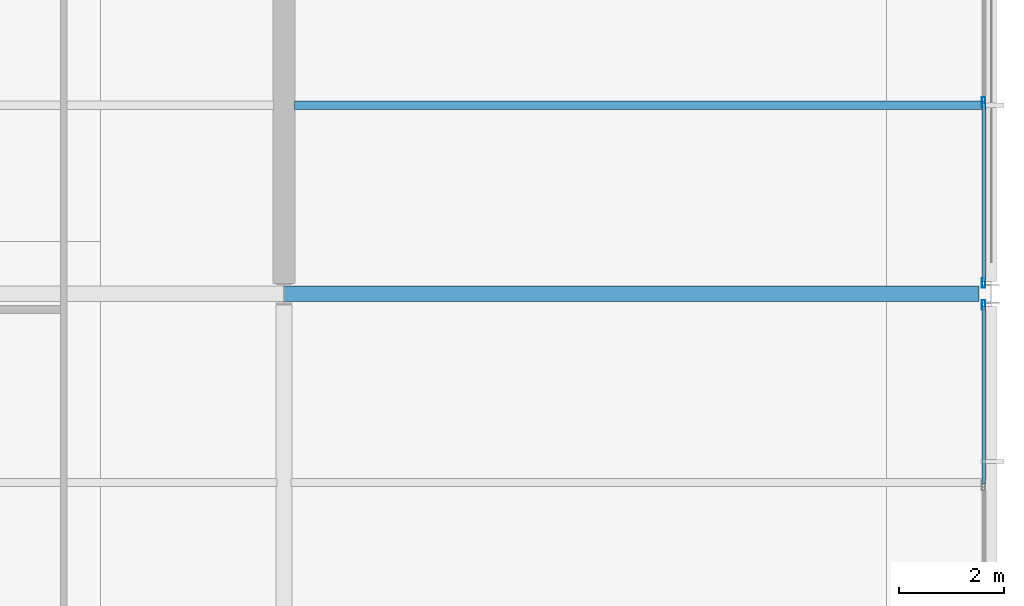
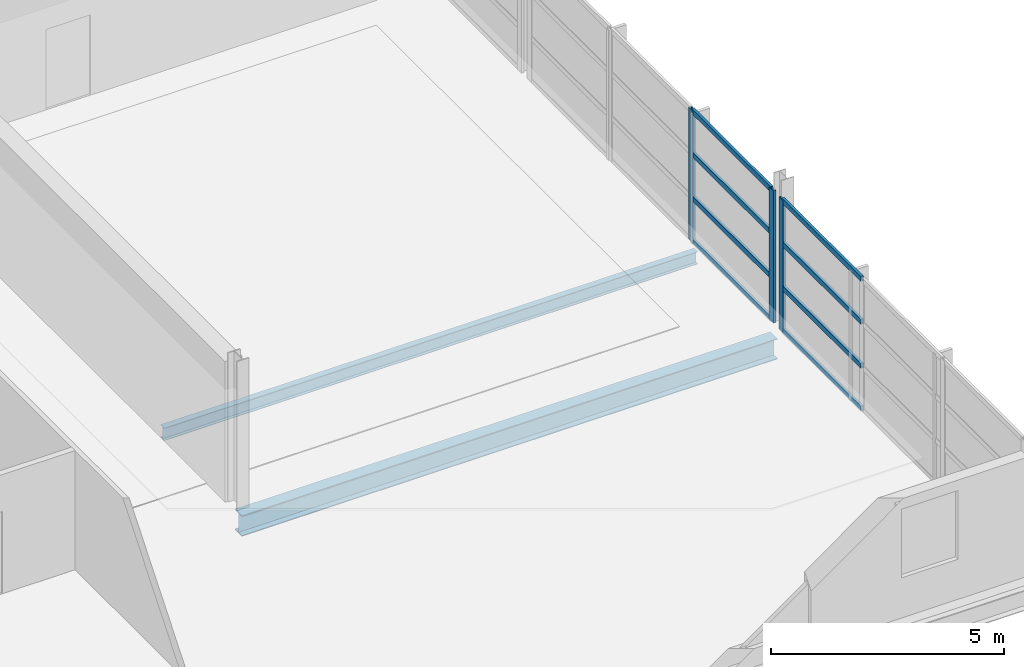
# One storey, part 11 of 33: 11 members, 2 beams, 2 elements without a shape of their own.
"""IFC4 building model written with IfcOpenShell, lengths in metres."""

from ifc_helpers import new_model, si_unit, direction, frame, origin, origin_2d, place, context, subcontext, project, spatial, hollow_rectangle, i_section, extrude, material, layer, layer_set, material_profile, profile_set, type_object, element, aggregate, save


model = new_model("IFC4")

# Units and contexts
model_context = context("Model", 3, precision=1e-05, world=origin(), true_north=direction((0.0, 1.0)))
body_context = subcontext(model_context, "Body", "Model", "MODEL_VIEW")
ifc_project = project(units=[si_unit("LENGTHUNIT", "METRE"), si_unit("AREAUNIT", "SQUARE_METRE"), si_unit("VOLUMEUNIT", "CUBIC_METRE"), si_unit("PLANEANGLEUNIT", "RADIAN"), si_unit("MASSUNIT", "GRAM", prefix="KILO")], contexts=[model_context])

# Site, building, storey
site_placement = place(None, origin())
site = spatial("IfcSite", under=ifc_project, at=site_placement, CompositionType="ELEMENT")
building_placement = place(site_placement, origin())
building = spatial("IfcBuilding", under=site, at=building_placement, Name="Tamarisk Ironworks Central Station", CompositionType="ELEMENT")
storey_placement = place(building_placement, frame((0.0, 0.0, 21.300048828125)))
storey = spatial("IfcBuildingStorey", under=building, at=storey_placement, Name="L04", CompositionType="ELEMENT", Elevation=21.300048828125)

# Beams
ifc_material_1 = material(Name="Structural steel S355J2", Category="steel")
ifc_material_profile_1 = material_profile(ifc_material_1, i_section(OverallWidth=0.159912109375, OverallDepth=0.330078125, WebThickness=0.007568359375, FlangeThickness=0.011474609375, at=origin_2d()), Name="IPE 330")
ifc_profile_set_1 = profile_set([ifc_material_profile_1], Name="Structural steel S355J2")
beam_type_1 = type_object("IfcBeamType", Name="BM-B06", PredefinedType="BEAM", material=ifc_profile_set_1)
beam_1_placement = place(storey_placement, frame((166.699951171875, 93.60009765625, -0.385009765625), z_axis=(1.0, 0.0, 0.0), x_axis=(0.0, 1.0, 0.0)))
element("IfcBeam", 1, at=beam_1_placement, inside=storey, type_object=beam_type_1, Name="L04 secondary composite beam 0250", PredefinedType="BEAM", context=body_context, shape_type="SweptSolid", body=[
    extrude(i_section(OverallWidth=0.159912109375, OverallDepth=0.330078125, WebThickness=0.007568359375, FlangeThickness=0.011474609375, at=origin_2d()), origin(), (0.0, 0.0, 1.0), 13.215087890625),
])
ifc_material_profile_2 = material_profile(ifc_material_1, i_section(OverallWidth=0.300048828125, OverallDepth=0.5400390625, WebThickness=0.012451171875, FlangeThickness=0.02392578125, at=origin_2d()), Name="HEA 550")
ifc_profile_set_2 = profile_set([ifc_material_profile_2], Name="Structural steel S355J2")
beam_type_2 = type_object("IfcBeamType", Name="BM-G04", PredefinedType="BEAM", material=ifc_profile_set_2)
beam_2_placement = place(storey_placement, frame((166.50390625, 90.0, -0.489990234375), z_axis=(1.0, 0.0, 0.0), x_axis=(0.0, 1.0, 0.0)))
element("IfcBeam", 2, at=beam_2_placement, inside=storey, type_object=beam_type_2, Name="L04 primary girder X-0714", PredefinedType="BEAM", context=body_context, shape_type="SweptSolid", body=[
    extrude(i_section(OverallWidth=0.300048828125, OverallDepth=0.5400390625, WebThickness=0.012451171875, FlangeThickness=0.02392578125, at=origin_2d()), origin(), (0.0, 0.0, 1.0), 13.258056640625),
])

# Curtain wall, member
ifc_material_2 = material(Name="Anodized aluminium alloy 6063-T6", Category="aluminium")
ifc_layer = layer(ifc_material_2, 0.179931640625)
ifc_layer_set = layer_set([ifc_layer], Name="Anodized aluminium alloy 6063-T6")
curtain_wall_type = type_object("IfcCurtainWallType", Name="CW-22", PredefinedType="USERDEFINED", material=ifc_layer_set)
curtain_wall_1_placement = place(storey_placement, origin())
curtain_wall_1 = element("IfcCurtainWall", 3, at=curtain_wall_1_placement, inside=storey, type_object=curtain_wall_type, Name="Operations L04 east facade curtain wall 079", ObjectType="GLAZED CURTAIN WALL", PredefinedType="USERDEFINED")
ifc_material_profile_3 = material_profile(ifc_material_2, hollow_rectangle(XDim=0.06494140625, YDim=0.179931640625, WallThickness=0.00390625, at=origin_2d()), Name="ALUM 180x65")
ifc_profile_set_3 = profile_set([ifc_material_profile_3], Name="Anodized aluminium alloy 6063-T6")
member_type_1 = type_object("IfcMemberType", Name="CWM-02", PredefinedType="MULLION", material=ifc_profile_set_3)
member_1_placement = place(storey_placement, frame((179.85009765625, 89.78955078125, 0.0), z_axis=(0.0, 0.0, 1.0), x_axis=(-1.0, 0.0, 0.0)))
member_1 = element("IfcMember", 4, at=member_1_placement, type_object=member_type_1, Name="CW22 mullion 4", PredefinedType="MULLION", context=body_context, shape_type="SweptSolid", body=[
    extrude(hollow_rectangle(XDim=0.06494140625, YDim=0.179931640625, WallThickness=0.00390625, at=origin_2d()), origin(), (0.0, 0.0, 1.0), 3.4599609375),
])

# Curtain wall, members
curtain_wall_2_placement = place(storey_placement, origin())
curtain_wall_2 = element("IfcCurtainWall", 5, at=curtain_wall_2_placement, inside=storey, type_object=curtain_wall_type, Name="Operations L04 east facade curtain wall 090", ObjectType="GLAZED CURTAIN WALL", PredefinedType="USERDEFINED")
member_2_placement = place(storey_placement, frame((179.85009765625, 90.21044921875, 0.0), z_axis=(0.0, 0.0, 1.0), x_axis=(-1.0, 0.0, 0.0)))
member_2 = element("IfcMember", 6, at=member_2_placement, type_object=member_type_1, Name="CW22 mullion 1", PredefinedType="MULLION", context=body_context, shape_type="SweptSolid", body=[
    extrude(hollow_rectangle(XDim=0.06494140625, YDim=0.179931640625, WallThickness=0.00390625, at=origin_2d()), origin(), (0.0, 0.0, 1.0), 3.4599609375),
])
member_3_placement = place(storey_placement, frame((179.85009765625, 93.659423828125, 0.0), z_axis=(0.0, 0.0, 1.0), x_axis=(-1.0, 0.0, 0.0)))
member_3 = element("IfcMember", 7, at=member_3_placement, type_object=member_type_1, Name="CW22 mullion 2", PredefinedType="MULLION", context=body_context, shape_type="SweptSolid", body=[
    extrude(hollow_rectangle(XDim=0.06494140625, YDim=0.179931640625, WallThickness=0.00390625, at=origin_2d()), origin(), (0.0, 0.0, 1.0), 3.4599609375),
])

# Member
ifc_material_profile_4 = material_profile(ifc_material_2, hollow_rectangle(XDim=0.06494140625, YDim=0.135009765625, WallThickness=0.00341796875, at=origin_2d()), Name="ALUM 135x65")
ifc_profile_set_4 = profile_set([ifc_material_profile_4], Name="Anodized aluminium alloy 6063-T6")
member_type_2 = type_object("IfcMemberType", Name="CWT-02", PredefinedType="USERDEFINED", material=ifc_profile_set_4)
member_4_placement = place(storey_placement, frame((179.85009765625, 86.369140625, 0.032470703125), z_axis=(0.0, 1.0, 0.0), x_axis=(-1.0, 0.0, 0.0)))
member_4 = element("IfcMember", 8, at=member_4_placement, type_object=member_type_2, Name="CW22 transom 3.1", ObjectType="TRANSOM", PredefinedType="USERDEFINED", context=body_context, shape_type="SweptSolid", body=[
    extrude(hollow_rectangle(XDim=0.06494140625, YDim=0.135009765625, WallThickness=0.00341796875, at=origin_2d()), origin(), (0.0, 0.0, 1.0), 3.391845703125),
])

member_5_placement = place(storey_placement, frame((179.85009765625, 86.369140625, 1.1533203125), z_axis=(0.0, 1.0, 0.0), x_axis=(-1.0, 0.0, 0.0)))
member_5 = element("IfcMember", 9, at=member_5_placement, type_object=member_type_2, Name="CW22 transom 3.2", ObjectType="TRANSOM", PredefinedType="USERDEFINED", context=body_context, shape_type="SweptSolid", body=[
    extrude(hollow_rectangle(XDim=0.06494140625, YDim=0.135009765625, WallThickness=0.00341796875, at=origin_2d()), origin(), (0.0, 0.0, 1.0), 3.391845703125),
])

member_6_placement = place(storey_placement, frame((179.85009765625, 86.369140625, 2.306640625), z_axis=(0.0, 1.0, 0.0), x_axis=(-1.0, 0.0, 0.0)))
member_6 = element("IfcMember", 10, at=member_6_placement, type_object=member_type_2, Name="CW22 transom 3.3", ObjectType="TRANSOM", PredefinedType="USERDEFINED", context=body_context, shape_type="SweptSolid", body=[
    extrude(hollow_rectangle(XDim=0.06494140625, YDim=0.135009765625, WallThickness=0.00341796875, at=origin_2d()), origin(), (0.0, 0.0, 1.0), 3.391845703125),
])

member_7_placement = place(storey_placement, frame((179.85009765625, 86.369140625, 3.427490234375), z_axis=(0.0, 1.0, 0.0), x_axis=(-1.0, 0.0, 0.0)))
member_7 = element("IfcMember", 11, at=member_7_placement, type_object=member_type_2, Name="CW22 transom 3.4", ObjectType="TRANSOM", PredefinedType="USERDEFINED", context=body_context, shape_type="SweptSolid", body=[
    extrude(hollow_rectangle(XDim=0.06494140625, YDim=0.135009765625, WallThickness=0.00341796875, at=origin_2d()), origin(), (0.0, 0.0, 1.0), 3.391845703125),
])

aggregate(curtain_wall_1, [member_1, member_4, member_5, member_6, member_7])

member_8_placement = place(storey_placement, frame((179.85009765625, 90.239013671875, 0.032470703125), z_axis=(0.0, 1.0, 0.0), x_axis=(-1.0, 0.0, 0.0)))
member_8 = element("IfcMember", 12, at=member_8_placement, type_object=member_type_2, Name="CW22 transom 1.1", ObjectType="TRANSOM", PredefinedType="USERDEFINED", context=body_context, shape_type="SweptSolid", body=[
    extrude(hollow_rectangle(XDim=0.06494140625, YDim=0.135009765625, WallThickness=0.00341796875, at=origin_2d()), origin(), (0.0, 0.0, 1.0), 3.391845703125),
])

member_9_placement = place(storey_placement, frame((179.85009765625, 90.239013671875, 1.1533203125), z_axis=(0.0, 1.0, 0.0), x_axis=(-1.0, 0.0, 0.0)))
member_9 = element("IfcMember", 13, at=member_9_placement, type_object=member_type_2, Name="CW22 transom 1.2", ObjectType="TRANSOM", PredefinedType="USERDEFINED", context=body_context, shape_type="SweptSolid", body=[
    extrude(hollow_rectangle(XDim=0.06494140625, YDim=0.135009765625, WallThickness=0.00341796875, at=origin_2d()), origin(), (0.0, 0.0, 1.0), 3.391845703125),
])

member_10_placement = place(storey_placement, frame((179.85009765625, 90.239013671875, 2.306640625), z_axis=(0.0, 1.0, 0.0), x_axis=(-1.0, 0.0, 0.0)))
member_10 = element("IfcMember", 14, at=member_10_placement, type_object=member_type_2, Name="CW22 transom 1.3", ObjectType="TRANSOM", PredefinedType="USERDEFINED", context=body_context, shape_type="SweptSolid", body=[
    extrude(hollow_rectangle(XDim=0.06494140625, YDim=0.135009765625, WallThickness=0.00341796875, at=origin_2d()), origin(), (0.0, 0.0, 1.0), 3.391845703125),
])

member_11_placement = place(storey_placement, frame((179.85009765625, 90.239013671875, 3.427490234375), z_axis=(0.0, 1.0, 0.0), x_axis=(-1.0, 0.0, 0.0)))
member_11 = element("IfcMember", 15, at=member_11_placement, type_object=member_type_2, Name="CW22 transom 1.4", ObjectType="TRANSOM", PredefinedType="USERDEFINED", context=body_context, shape_type="SweptSolid", body=[
    extrude(hollow_rectangle(XDim=0.06494140625, YDim=0.135009765625, WallThickness=0.00341796875, at=origin_2d()), origin(), (0.0, 0.0, 1.0), 3.391845703125),
])

aggregate(curtain_wall_2, [member_2, member_3, member_8, member_9, member_10, member_11])

save(model, "model.ifc")
